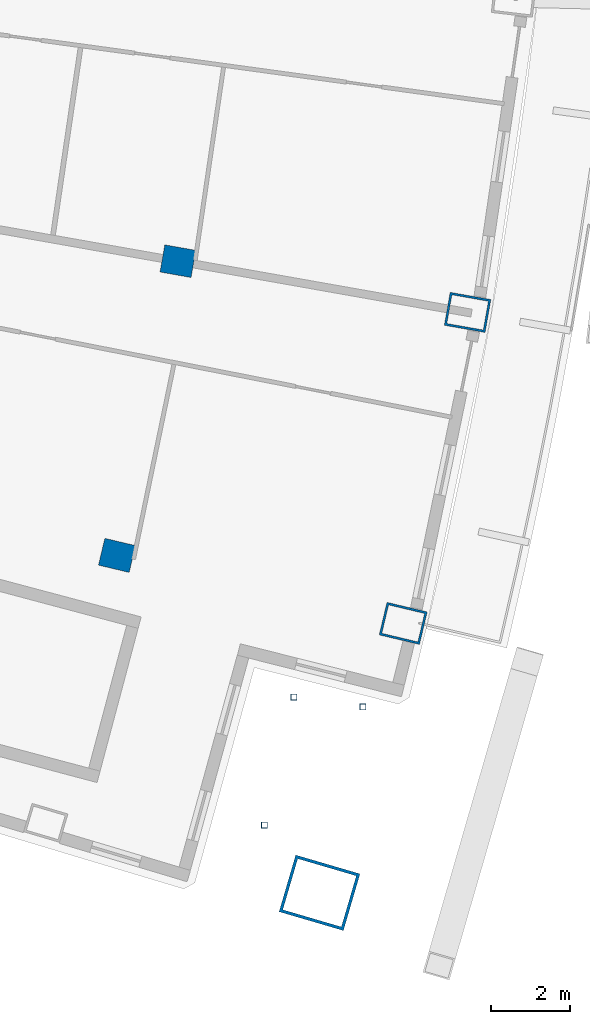
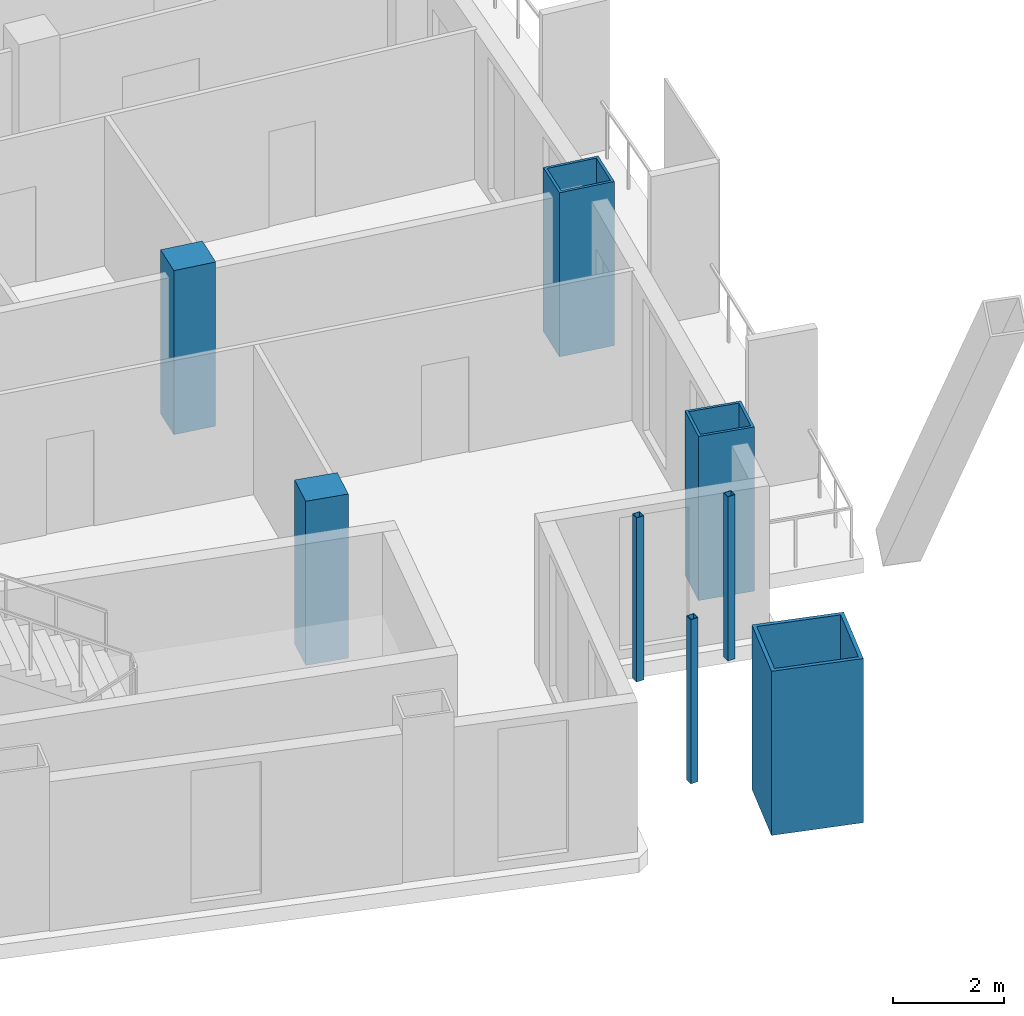
# One storey, part 3 of 19: 8 columns.
"""IFC4 building model written with IfcOpenShell, lengths in metres."""

from ifc_helpers import new_model, si_unit, direction, frame, origin, origin_2d, place, context, subcontext, project, spatial, rectangle, hollow_rectangle, extrude, material, material_profile, profile_set, type_object, element, save


model = new_model("IFC4")

# Units and contexts
model_context = context("Model", 3, precision=1e-05, world=origin(), true_north=direction((0.0, 1.0)))
body_context = subcontext(model_context, "Body", "Model", "MODEL_VIEW")
ifc_project = project(units=[si_unit("LENGTHUNIT", "METRE"), si_unit("AREAUNIT", "SQUARE_METRE"), si_unit("VOLUMEUNIT", "CUBIC_METRE"), si_unit("PLANEANGLEUNIT", "RADIAN"), si_unit("MASSUNIT", "GRAM", prefix="KILO")], contexts=[model_context])

# Site, building, storey
site_placement = place(None, origin())
site = spatial("IfcSite", under=ifc_project, at=site_placement, CompositionType="ELEMENT")
building_placement = place(site_placement, origin())
building = spatial("IfcBuilding", under=site, at=building_placement, Name="Alderwake Tower", CompositionType="ELEMENT")
storey_placement = place(building_placement, frame((0.0, 0.0, 200.0)))
storey = spatial("IfcBuildingStorey", under=building, at=storey_placement, Name="L49", CompositionType="ELEMENT", Elevation=200.0)

# Columns
ifc_material_1 = material(Name="Concrete C70/85", Category="concrete")
ifc_material_profile_1 = material_profile(ifc_material_1, rectangle(XDim=0.699951171875, YDim=0.800048828125, at=origin_2d()), Name="RC 800X700")
ifc_profile_set_1 = profile_set([ifc_material_profile_1], Name="Concrete C70/85")
column_type_1 = type_object("IfcColumnType", Name="Interior column Z4", PredefinedType="COLUMN", material=ifc_profile_set_1)
for number, where, z_axis, x_axis, name in (
    (1, (47.190673828125, 30.771484375, 0.0), (0.0, 0.0, 1.0), (0.231221547198, 0.972901123502, 0.0), "Column R03-C4"),
    (2, (48.736572265625, 38.23828125, 0.0), (0.0, 0.0, 1.0), (0.174107082075, 0.984726725529, 0.0), "Column R04-C4"),
):
    element("IfcColumn", number, at=place(storey_placement, frame(where, z_axis=z_axis, x_axis=x_axis)), inside=storey, type_object=column_type_1, Name=name, PredefinedType="COLUMN", context=body_context, shape_type="SweptSolid", body=[
        extrude(rectangle(XDim=0.699951171875, YDim=0.800048828125, at=origin_2d()), origin(), (0.0, 0.0, 1.0), 3.60009765625),
    ])
ifc_material_2 = material(Name="Steel ASTM A500 Grade C", Category="steel")
ifc_material_profile_2 = material_profile(ifc_material_2, hollow_rectangle(XDim=0.15234375, YDim=0.15234375, WallThickness=0.0087890625, at=origin_2d()), Name="HSS6X6X3/8")
ifc_profile_set_2 = profile_set([ifc_material_profile_2], Name="Steel ASTM A500 Grade C")
column_type_2 = type_object("IfcColumnType", Name="Light post HSS6X6X3/8", PredefinedType="COLUMN", material=ifc_profile_set_2)
for number, where, z_axis, x_axis, name in (
    (3, (53.4326171875, 26.925537109375, 0.0), (0.0, 0.0, 1.0), (1.0, 0.0, 0.0), "Terrace post FS1"),
    (4, (50.9326171875, 23.925537109375, 0.0), (0.0, 0.0, 1.0), (1.0, 0.0, 0.0), "Terrace post FS2"),
    (5, (51.6826171875, 27.175537109375, 0.0), (0.0, 0.0, 1.0), (1.0, 0.0, 0.0), "Terrace post FS3"),
):
    element("IfcColumn", number, at=place(storey_placement, frame(where, z_axis=z_axis, x_axis=x_axis)), inside=storey, type_object=column_type_2, Name=name, PredefinedType="COLUMN", context=body_context, shape_type="SweptSolid", body=[
        extrude(hollow_rectangle(XDim=0.15234375, YDim=0.15234375, WallThickness=0.0087890625, at=origin_2d()), origin(), (0.0, 0.0, 1.0), 3.60009765625),
    ])
ifc_material_3 = material(Name="Steel ASTM A572 Grade 50 concrete filled C70/85", Category="concrete")
ifc_material_profile_3 = material_profile(ifc_material_3, hollow_rectangle(XDim=1.5, YDim=1.699951171875, WallThickness=0.074951171875, at=origin_2d()), Name="BOX 1700X1500X75")
ifc_profile_set_3 = profile_set([ifc_material_profile_3], Name="Steel ASTM A572 Grade 50 concrete filled C70/85")
column_type_3 = type_object("IfcColumnType", Name="Mega column Z4", PredefinedType="COLUMN", material=ifc_profile_set_3)
column_placement = place(storey_placement, frame((52.331298828125, 22.2080078125, 0.0), z_axis=(0.0, 0.0, 1.0), x_axis=(0.281304888972, 0.959618444717, 0.0)))
element("IfcColumn", 6, at=column_placement, inside=storey, type_object=column_type_3, Name="Column R02-C5", PredefinedType="COLUMN", context=body_context, shape_type="SweptSolid", body=[
    extrude(hollow_rectangle(XDim=1.5, YDim=1.699951171875, WallThickness=0.074951171875, at=origin_2d()), origin(), (0.0, 0.0, 1.0), 3.60009765625),
])
ifc_material_4 = material(Name="Steel ASTM A572 Grade 50 concrete filled C70/85", Category="concrete")
ifc_material_profile_4 = material_profile(ifc_material_4, hollow_rectangle(XDim=0.85009765625, YDim=1.050048828125, WallThickness=0.054931640625, at=origin_2d()), Name="BOX 1050X850X55")
ifc_profile_set_4 = profile_set([ifc_material_profile_4], Name="Steel ASTM A572 Grade 50 concrete filled C70/85")
column_type_4 = type_object("IfcColumnType", Name="Perimeter column Z4", PredefinedType="COLUMN", material=ifc_profile_set_4)
for number, where, z_axis, x_axis, name in (
    (7, (54.454833984375, 29.045166015625, 0.0), (0.0, 0.0, 1.0), (0.231221547198, 0.972901123502, 0.0), "Column R03-C5"),
    (8, (56.089111328125, 36.938232421875, 0.0), (0.0, 0.0, 1.0), (0.174107082075, 0.984726725529, 0.0), "Column R04-C5"),
):
    element("IfcColumn", number, at=place(storey_placement, frame(where, z_axis=z_axis, x_axis=x_axis)), inside=storey, type_object=column_type_4, Name=name, PredefinedType="COLUMN", context=body_context, shape_type="SweptSolid", body=[
        extrude(hollow_rectangle(XDim=0.85009765625, YDim=1.050048828125, WallThickness=0.054931640625, at=origin_2d()), origin(), (0.0, 0.0, 1.0), 3.60009765625),
    ])

save(model, "model.ifc")
